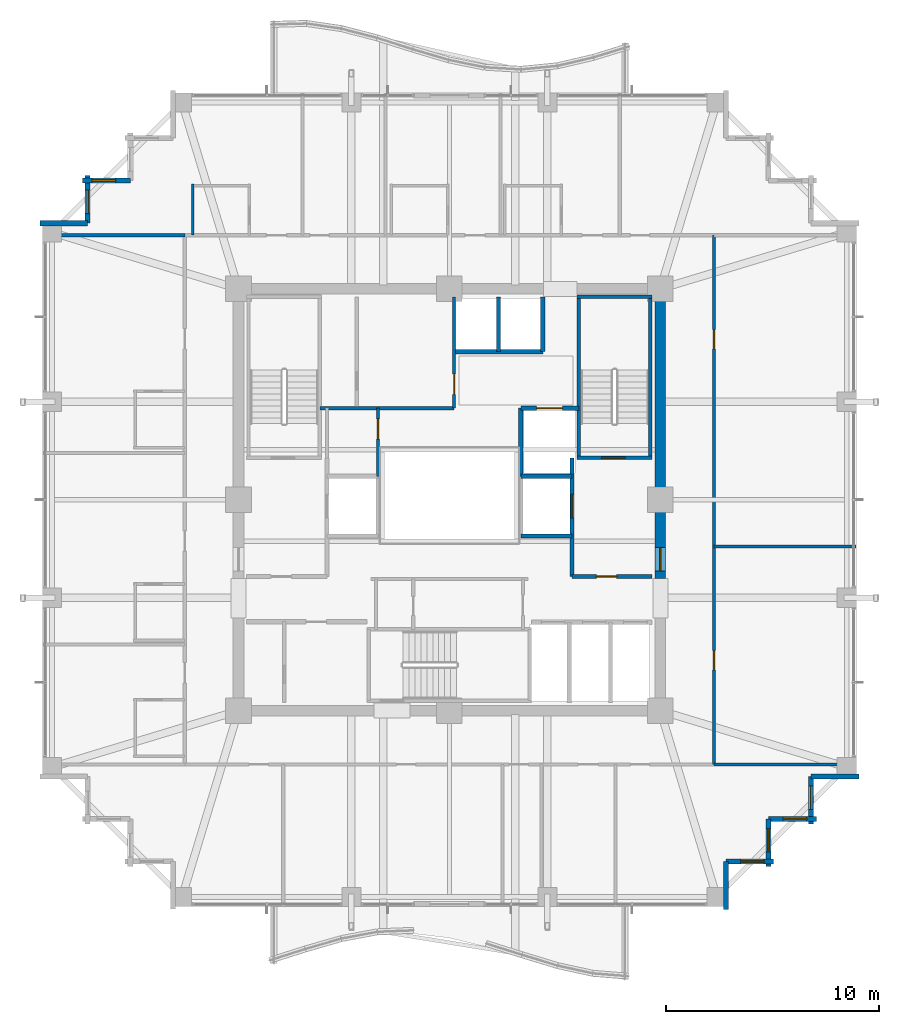
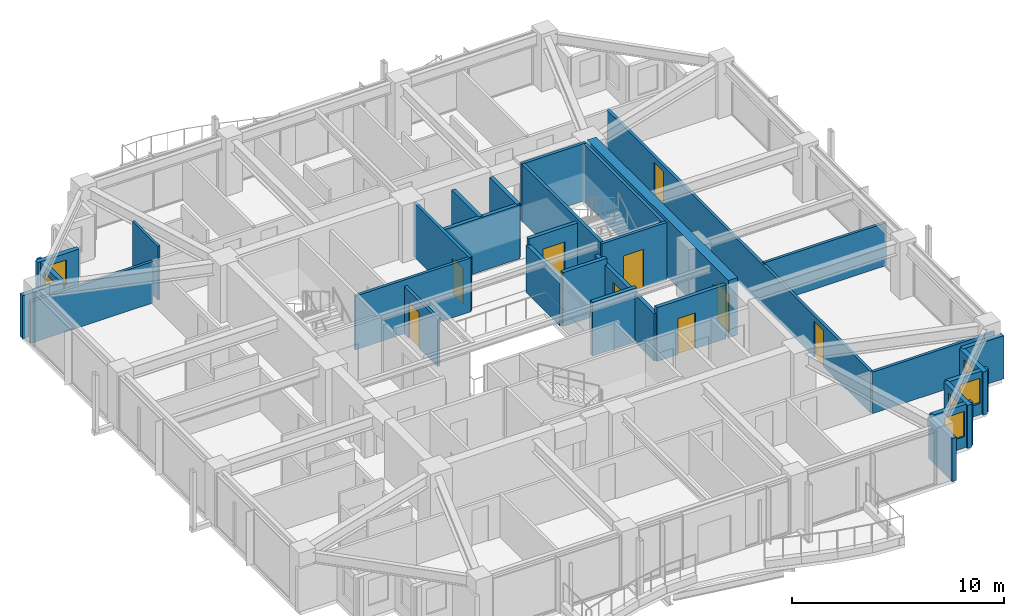
# One storey, part 28 of 32: 31 walls, 9 doors, 6 windows, 15 openings.
"""IFC4 building model written with IfcOpenShell, lengths in metres."""

from ifc_helpers import new_model, si_unit, direction, frame, frame_2d, origin, place, context, subcontext, project, spatial, rectangle, extrude, material, layer, layer_set, type_object, element, fill, save


model = new_model("IFC4")

# Units and contexts
model_context = context("Model", 3, precision=1e-05, world=origin(), true_north=direction((0.0, 1.0)))
body_context = subcontext(model_context, "Body", "Model", "MODEL_VIEW")
ifc_project = project(units=[si_unit("LENGTHUNIT", "METRE"), si_unit("AREAUNIT", "SQUARE_METRE"), si_unit("VOLUMEUNIT", "CUBIC_METRE"), si_unit("PLANEANGLEUNIT", "RADIAN"), si_unit("MASSUNIT", "GRAM", prefix="KILO")], contexts=[model_context])

# Site, building, storey
site_placement = place(None, origin())
site = spatial("IfcSite", under=ifc_project, at=site_placement, CompositionType="ELEMENT")
building_placement = place(site_placement, origin())
building = spatial("IfcBuilding", under=site, at=building_placement, Name="Kolvaren Belvedere", CompositionType="ELEMENT")
storey_placement = place(building_placement, frame((0.0, 0.0, 160.199951171875)))
storey = spatial("IfcBuildingStorey", under=building, at=storey_placement, Name="L46", CompositionType="ELEMENT", Elevation=160.199951171875)

# Wall, opening, door
ifc_material_1 = material(Name="Concrete C50/60", Category="concrete")
ifc_layer_1 = layer(ifc_material_1, 0.5)
ifc_layer_set_1 = layer_set([ifc_layer_1], Name="Concrete C50/60")
wall_type_1 = type_object("IfcWallType", Name="CW-CORE-500", PredefinedType="SHEAR", material=ifc_layer_set_1)
wall_1_placement = place(storey_placement, frame((9.89990234375, -3.699951171875, 0.0), z_axis=(0.0, 0.0, 1.0), x_axis=(0.0, 1.0, 0.0)))
wall_1 = element("IfcWall", 1, at=wall_1_placement, inside=storey, type_object=wall_type_1, Name="L46 East Core Shear Wall 2", PredefinedType="SHEAR", context=body_context, shape_type="SweptSolid", body=[
    extrude(rectangle(XDim=13.349853515625, YDim=0.5, at=frame_2d((6.6748046875, 0.0))), origin(), (0.0, 0.0, 1.0), 3.300048828125),
])
opening_1_placement = place(wall_1_placement, frame((0.35009765625, 0.0, 0.0)))
opening_1 = element("IfcOpeningElement", 2, at=opening_1_placement, cuts=wall_1, Name="Opening D-FD90", PredefinedType="OPENING", context=body_context, shape_type="SweptSolid", body=[
    extrude(rectangle(XDim=1.10009765625, YDim=2.199951171875, at=frame_2d((0.550048828125, 1.10009765625))), frame((0.0, 0.260009765625, 0.0), z_axis=(0.0, -1.0, 0.0), x_axis=(1.0, 0.0, 0.0)), (0.0, 0.0, 1.0), 0.52001953125),
])
ifc_material_2 = material(Name="Painted hollow stainless steel", Category="steel")
door_type_1 = type_object("IfcDoorType", Name="DR-FD90-1100", OperationType="NOTDEFINED", PredefinedType="DOOR", material=ifc_material_2)
door_1_placement = place(opening_1_placement, origin())
door_1 = element("IfcDoor", 3, at=door_1_placement, inside=storey, type_object=door_type_1, Name="L46 East Firefighting Lobby Fire Door", OperationType="SINGLE_SWING_RIGHT", OverallHeight=2.199951171875, OverallWidth=1.10009765625, PredefinedType="DOOR", context=body_context, shape_type="SweptSolid", body=[
    extrude(rectangle(XDim=1.10009765625, YDim=2.199951171875, at=frame_2d((0.550048828125, 1.10009765625))), frame((0.0, 0.02490234375, 0.0), z_axis=(0.0, -1.0, 0.0), x_axis=(1.0, 0.0, 0.0)), (0.0, 0.0, 1.0), 0.050048828125),
])
fill(opening_1, door_1)

ifc_material_3 = material(Name="Concrete C50/60", Category="concrete")
ifc_layer_2 = layer(ifc_material_3, 0.159912109375)
ifc_layer_set_2 = layer_set([ifc_layer_2], Name="Concrete C50/60")
wall_type_2 = type_object("IfcWallType", Name="CW-STAIR-160", PredefinedType="SHEAR", material=ifc_layer_set_2)
wall_2_placement = place(storey_placement, frame((6.0, 1.969970703125, 0.0), z_axis=(0.0, 0.0, 1.0), x_axis=(1.0, 0.0, 0.0)))
wall_2 = element("IfcWall", 4, at=wall_2_placement, inside=storey, type_object=wall_type_2, Name="L46 Stair ST-2 South Shear Wall", PredefinedType="SHEAR", context=body_context, shape_type="SweptSolid", body=[
    extrude(rectangle(XDim=3.52001953125, YDim=0.159912109375, at=frame_2d((1.760009765625, 0.0))), origin(), (0.0, 0.0, 1.0), 3.300048828125),
])
opening_2_placement = place(wall_2_placement, frame((1.14990234375, 0.0, 0.0)))
opening_2 = element("IfcOpeningElement", 5, at=opening_2_placement, cuts=wall_2, Name="Opening D-FD90", PredefinedType="OPENING", context=body_context, shape_type="SweptSolid", body=[
    extrude(rectangle(XDim=1.10009765625, YDim=2.199951171875, at=frame_2d((0.550048828125, 1.10009765625))), frame((0.0, 0.08984375, 0.0), z_axis=(0.0, -1.0, 0.0), x_axis=(1.0, 0.0, 0.0)), (0.0, 0.0, 1.0), 0.179931640625),
])
door_2_placement = place(opening_2_placement, origin())
door_2 = element("IfcDoor", 6, at=door_2_placement, inside=storey, type_object=door_type_1, Name="L46 Stair ST-2 Fire Door", OperationType="SINGLE_SWING_RIGHT", OverallHeight=2.199951171875, OverallWidth=1.10009765625, PredefinedType="DOOR", context=body_context, shape_type="SweptSolid", body=[
    extrude(rectangle(XDim=1.10009765625, YDim=2.199951171875, at=frame_2d((0.550048828125, 1.10009765625))), frame((0.0, 0.02490234375, 0.0), z_axis=(0.0, -1.0, 0.0), x_axis=(1.0, 0.0, 0.0)), (0.0, 0.0, 1.0), 0.050048828125),
])
fill(opening_2, door_2)

# Walls
wall_3_placement = place(storey_placement, frame((6.0, 9.530029296875, 0.0), z_axis=(0.0, 0.0, 1.0), x_axis=(1.0, 0.0, 0.0)))
element("IfcWall", 7, at=wall_3_placement, inside=storey, type_object=wall_type_2, Name="L46 Stair ST-2 North Shear Wall", PredefinedType="SHEAR", context=body_context, shape_type="SweptSolid", body=[
    extrude(rectangle(XDim=3.52001953125, YDim=0.159912109375, at=frame_2d((1.760009765625, 0.0))), origin(), (0.0, 0.0, 1.0), 3.300048828125),
])
for number, where, z_axis, x_axis, name in (
    (8, (6.080078125, 1.969970703125, 0.0), (0.0, 0.0, 1.0), (0.0, 1.0, 0.0), "L46 Stair ST-2 West Shear Wall"),
    (9, (9.429931640625, 1.969970703125, 0.0), (0.0, 0.0, 1.0), (0.0, 1.0, 0.0), "L46 Stair ST-2 East Shear Wall"),
):
    element("IfcWall", number, at=place(storey_placement, frame(where, z_axis=z_axis, x_axis=x_axis)), inside=storey, type_object=wall_type_2, Name=name, PredefinedType="SHEAR", context=body_context, shape_type="SweptSolid", body=[
        extrude(rectangle(XDim=7.56005859375, YDim=0.159912109375, at=frame_2d((3.780029296875, 0.0))), origin(), (0.0, 0.0, 1.0), 3.300048828125),
    ])

# Wall, openings, doors
ifc_material_4 = material(Name="Gypsum fire-rated partition assembly", Category="gypsum")
ifc_layer_3 = layer(ifc_material_4, 0.14990234375)
ifc_layer_set_3 = layer_set([ifc_layer_3], Name="Gypsum fire-rated partition assembly")
wall_type_3 = type_object("IfcWallType", Name="WL-CORR-150", PredefinedType="PARTITIONING", material=ifc_layer_set_3)
wall_4_placement = place(storey_placement, frame((12.419921875, -12.419921875, 0.0), z_axis=(0.0, 0.0, 1.0), x_axis=(0.0, 1.0, 0.0)))
wall_4 = element("IfcWall", 10, at=wall_4_placement, inside=storey, type_object=wall_type_3, Name="L46 East Corridor Wall", PredefinedType="PARTITIONING", context=body_context, shape_type="SweptSolid", body=[
    extrude(rectangle(XDim=24.83984375, YDim=0.14990234375, at=frame_2d((12.419921875, 0.0))), origin(), (0.0, 0.0, 1.0), 2.38916015625),
])
opening_3_placement = place(wall_4_placement, frame((4.43505859375, 0.0, 0.0)))
opening_3 = element("IfcOpeningElement", 11, at=opening_3_placement, cuts=wall_4, Name="Opening D-INT90", PredefinedType="OPENING", context=body_context, shape_type="SweptSolid", body=[
    extrude(rectangle(XDim=0.89990234375, YDim=2.06005859375, at=frame_2d((0.449951171875, 1.030029296875))), frame((0.0, 0.0849609375, 0.0), z_axis=(0.0, -1.0, 0.0), x_axis=(1.0, 0.0, 0.0)), (0.0, 0.0, 1.0), 0.169921875),
])
opening_4_placement = place(wall_4_placement, frame((19.5048828125, 0.0, 0.0)))
opening_4 = element("IfcOpeningElement", 12, at=opening_4_placement, cuts=wall_4, Name="Opening D-INT90", PredefinedType="OPENING", context=body_context, shape_type="SweptSolid", body=[
    extrude(rectangle(XDim=0.89990234375, YDim=2.06005859375, at=frame_2d((0.449951171875, 1.030029296875))), frame((0.0, 0.0849609375, 0.0), z_axis=(0.0, -1.0, 0.0), x_axis=(1.0, 0.0, 0.0)), (0.0, 0.0, 1.0), 0.169921875),
])
ifc_material_5 = material(Name="Stained Pacific white oak", Category="timber")
door_type_2 = type_object("IfcDoorType", Name="DR-INT-900", OperationType="NOTDEFINED", PredefinedType="DOOR", material=ifc_material_5)
door_3_placement = place(opening_3_placement, origin())
door_3 = element("IfcDoor", 13, at=door_3_placement, inside=storey, type_object=door_type_2, Name="L46 Botanical Reading Salon 4604 Door", OperationType="SINGLE_SWING_LEFT", OverallHeight=2.06005859375, OverallWidth=0.89990234375, PredefinedType="DOOR", context=body_context, shape_type="SweptSolid", body=[
    extrude(rectangle(XDim=0.89990234375, YDim=2.06005859375, at=frame_2d((0.449951171875, 1.030029296875))), frame((0.0, 0.02490234375, 0.0), z_axis=(0.0, -1.0, 0.0), x_axis=(1.0, 0.0, 0.0)), (0.0, 0.0, 1.0), 0.050048828125),
])
fill(opening_3, door_3)
door_4_placement = place(opening_4_placement, origin())
door_4 = element("IfcDoor", 14, at=door_4_placement, inside=storey, type_object=door_type_2, Name="L46 Lounge 4605 Door", OperationType="SINGLE_SWING_RIGHT", OverallHeight=2.06005859375, OverallWidth=0.89990234375, PredefinedType="DOOR", context=body_context, shape_type="SweptSolid", body=[
    extrude(rectangle(XDim=0.89990234375, YDim=2.06005859375, at=frame_2d((0.449951171875, 1.030029296875))), frame((0.0, 0.02490234375, 0.0), z_axis=(0.0, -1.0, 0.0), x_axis=(1.0, 0.0, 0.0)), (0.0, 0.0, 1.0), 0.050048828125),
])
fill(opening_4, door_4)

# Wall
ifc_material_6 = material(Name="Insulated pale-metal facade wall assembly", Category="aluminium")
ifc_layer_4 = layer(ifc_material_6, 0.239990234375)
ifc_layer_set_4 = layer_set([ifc_layer_4], Name="Insulated pale-metal facade wall assembly")
wall_type_4 = type_object("IfcWallType", Name="WL-EXT-240", PredefinedType="STANDARD", material=ifc_layer_set_4)
wall_5_placement = place(storey_placement, frame((12.97998046875, -16.97998046875, 0.0), z_axis=(0.0, 0.0, 1.0), x_axis=(0.0, -1.0, 0.0)))
element("IfcWall", 15, at=wall_5_placement, inside=storey, type_object=wall_type_4, Name="L46 Serrated Corner Facade Wall 2", PredefinedType="STANDARD", context=body_context, shape_type="SweptSolid", body=[
    extrude(rectangle(XDim=2.239990234375, YDim=0.239990234375, at=frame_2d((1.1201171875, 0.0))), origin(), (0.0, 0.0, 1.0), 2.483154296875),
])

# Wall, opening, window
wall_6_placement = place(storey_placement, frame((15.219970703125, -16.97998046875, 0.0), z_axis=(0.0, 0.0, 1.0), x_axis=(-1.0, 0.0, 0.0)))
wall_6 = element("IfcWall", 16, at=wall_6_placement, inside=storey, type_object=wall_type_4, Name="L46 Serrated Corner Facade Wall 3", PredefinedType="STANDARD", context=body_context, shape_type="SweptSolid", body=[
    extrude(rectangle(XDim=2.239990234375, YDim=0.239990234375, at=frame_2d((1.1201171875, 0.0))), origin(), (0.0, 0.0, 1.0), 2.483154296875),
])
opening_5_placement = place(wall_6_placement, frame((0.449951171875, 0.0, 0.64990234375)))
opening_5 = element("IfcOpeningElement", 17, at=opening_5_placement, cuts=wall_6, Name="Opening W-1100", PredefinedType="OPENING", context=body_context, shape_type="SweptSolid", body=[
    extrude(rectangle(XDim=1.10009765625, YDim=1.449951171875, at=frame_2d((0.550048828125, 0.72509765625))), frame((0.0, 0.1298828125, 0.0), z_axis=(0.0, -1.0, 0.0), x_axis=(1.0, 0.0, 0.0)), (0.0, 0.0, 1.0), 0.260009765625),
])
ifc_material_7 = material(Name="Low-iron triple insulated glass", Category="glass")
window_type = type_object("IfcWindowType", Name="WN-CORN-1100", PartitioningType="SINGLE_PANEL", PredefinedType="WINDOW", material=ifc_material_7)
window_1_placement = place(opening_5_placement, origin())
window_1 = element("IfcWindow", 18, at=window_1_placement, inside=storey, type_object=window_type, Name="L46 Serrated Corner Vision Window 3", OverallHeight=1.449951171875, OverallWidth=1.10009765625, PartitioningType="SINGLE_PANEL", PredefinedType="WINDOW", context=body_context, shape_type="SweptSolid", body=[
    extrude(rectangle(XDim=1.10009765625, YDim=1.449951171875, at=frame_2d((0.550048828125, 0.72509765625))), frame((0.0, 0.030029296875, 0.0), z_axis=(0.0, -1.0, 0.0), x_axis=(1.0, 0.0, 0.0)), (0.0, 0.0, 1.0), 0.06005859375),
])
fill(opening_5, window_1)

wall_7_placement = place(storey_placement, frame((14.97998046875, -14.97998046875, 0.0), z_axis=(0.0, 0.0, 1.0), x_axis=(0.0, -1.0, 0.0)))
wall_7 = element("IfcWall", 19, at=wall_7_placement, inside=storey, type_object=wall_type_4, Name="L46 Serrated Corner Facade Wall 4", PredefinedType="STANDARD", context=body_context, shape_type="SweptSolid", body=[
    extrude(rectangle(XDim=2.239990234375, YDim=0.239990234375, at=frame_2d((1.1201171875, 0.0))), origin(), (0.0, 0.0, 1.0), 2.483154296875),
])
opening_6_placement = place(wall_7_placement, frame((0.449951171875, 0.0, 0.64990234375)))
opening_6 = element("IfcOpeningElement", 20, at=opening_6_placement, cuts=wall_7, Name="Opening W-1100", PredefinedType="OPENING", context=body_context, shape_type="SweptSolid", body=[
    extrude(rectangle(XDim=1.10009765625, YDim=1.449951171875, at=frame_2d((0.550048828125, 0.72509765625))), frame((0.0, 0.1298828125, 0.0), z_axis=(0.0, -1.0, 0.0), x_axis=(1.0, 0.0, 0.0)), (0.0, 0.0, 1.0), 0.260009765625),
])
window_2_placement = place(opening_6_placement, origin())
window_2 = element("IfcWindow", 21, at=window_2_placement, inside=storey, type_object=window_type, Name="L46 Serrated Corner Vision Window 4", OverallHeight=1.449951171875, OverallWidth=1.10009765625, PartitioningType="SINGLE_PANEL", PredefinedType="WINDOW", context=body_context, shape_type="SweptSolid", body=[
    extrude(rectangle(XDim=1.10009765625, YDim=1.449951171875, at=frame_2d((0.550048828125, 0.72509765625))), frame((0.0, 0.030029296875, 0.0), z_axis=(0.0, -1.0, 0.0), x_axis=(1.0, 0.0, 0.0)), (0.0, 0.0, 1.0), 0.06005859375),
])
fill(opening_6, window_2)

wall_8_placement = place(storey_placement, frame((17.219970703125, -14.97998046875, 0.0), z_axis=(0.0, 0.0, 1.0), x_axis=(-1.0, 0.0, 0.0)))
wall_8 = element("IfcWall", 22, at=wall_8_placement, inside=storey, type_object=wall_type_4, Name="L46 Serrated Corner Facade Wall 5", PredefinedType="STANDARD", context=body_context, shape_type="SweptSolid", body=[
    extrude(rectangle(XDim=2.239990234375, YDim=0.239990234375, at=frame_2d((1.1201171875, 0.0))), origin(), (0.0, 0.0, 1.0), 2.483154296875),
])
opening_7_placement = place(wall_8_placement, frame((0.449951171875, 0.0, 0.64990234375)))
opening_7 = element("IfcOpeningElement", 23, at=opening_7_placement, cuts=wall_8, Name="Opening W-1100", PredefinedType="OPENING", context=body_context, shape_type="SweptSolid", body=[
    extrude(rectangle(XDim=1.10009765625, YDim=1.449951171875, at=frame_2d((0.550048828125, 0.72509765625))), frame((0.0, 0.1298828125, 0.0), z_axis=(0.0, -1.0, 0.0), x_axis=(1.0, 0.0, 0.0)), (0.0, 0.0, 1.0), 0.260009765625),
])
window_3_placement = place(opening_7_placement, origin())
window_3 = element("IfcWindow", 24, at=window_3_placement, inside=storey, type_object=window_type, Name="L46 Serrated Corner Vision Window 5", OverallHeight=1.449951171875, OverallWidth=1.10009765625, PartitioningType="SINGLE_PANEL", PredefinedType="WINDOW", context=body_context, shape_type="SweptSolid", body=[
    extrude(rectangle(XDim=1.10009765625, YDim=1.449951171875, at=frame_2d((0.550048828125, 0.72509765625))), frame((0.0, 0.030029296875, 0.0), z_axis=(0.0, -1.0, 0.0), x_axis=(1.0, 0.0, 0.0)), (0.0, 0.0, 1.0), 0.06005859375),
])
fill(opening_7, window_3)

wall_9_placement = place(storey_placement, frame((16.97998046875, -12.97998046875, 0.0), z_axis=(0.0, 0.0, 1.0), x_axis=(0.0, -1.0, 0.0)))
wall_9 = element("IfcWall", 25, at=wall_9_placement, inside=storey, type_object=wall_type_4, Name="L46 Serrated Corner Facade Wall 6", PredefinedType="STANDARD", context=body_context, shape_type="SweptSolid", body=[
    extrude(rectangle(XDim=2.239990234375, YDim=0.239990234375, at=frame_2d((1.1201171875, 0.0))), origin(), (0.0, 0.0, 1.0), 2.483154296875),
])
opening_8_placement = place(wall_9_placement, frame((0.449951171875, 0.0, 0.64990234375)))
opening_8 = element("IfcOpeningElement", 26, at=opening_8_placement, cuts=wall_9, Name="Opening W-1100", PredefinedType="OPENING", context=body_context, shape_type="SweptSolid", body=[
    extrude(rectangle(XDim=1.10009765625, YDim=1.449951171875, at=frame_2d((0.550048828125, 0.72509765625))), frame((0.0, 0.1298828125, 0.0), z_axis=(0.0, -1.0, 0.0), x_axis=(1.0, 0.0, 0.0)), (0.0, 0.0, 1.0), 0.260009765625),
])
window_4_placement = place(opening_8_placement, origin())
window_4 = element("IfcWindow", 27, at=window_4_placement, inside=storey, type_object=window_type, Name="L46 Serrated Corner Vision Window 6", OverallHeight=1.449951171875, OverallWidth=1.10009765625, PartitioningType="SINGLE_PANEL", PredefinedType="WINDOW", context=body_context, shape_type="SweptSolid", body=[
    extrude(rectangle(XDim=1.10009765625, YDim=1.449951171875, at=frame_2d((0.550048828125, 0.72509765625))), frame((0.0, 0.030029296875, 0.0), z_axis=(0.0, -1.0, 0.0), x_axis=(1.0, 0.0, 0.0)), (0.0, 0.0, 1.0), 0.06005859375),
])
fill(opening_8, window_4)

# Wall
wall_10_placement = place(storey_placement, frame((19.219970703125, -12.97998046875, 0.0), z_axis=(0.0, 0.0, 1.0), x_axis=(-1.0, 0.0, 0.0)))
element("IfcWall", 28, at=wall_10_placement, inside=storey, type_object=wall_type_4, Name="L46 Serrated Corner Facade Wall 7", PredefinedType="STANDARD", context=body_context, shape_type="SweptSolid", body=[
    extrude(rectangle(XDim=2.239990234375, YDim=0.239990234375, at=frame_2d((1.1201171875, 0.0))), origin(), (0.0, 0.0, 1.0), 2.483154296875),
])

# Wall, opening, window
wall_11_placement = place(storey_placement, frame((-17.219970703125, 14.97998046875, 0.0), z_axis=(0.0, 0.0, 1.0), x_axis=(1.0, 0.0, 0.0)))
wall_11 = element("IfcWall", 29, at=wall_11_placement, inside=storey, type_object=wall_type_4, Name="L46 Serrated Corner Facade Wall 19", PredefinedType="STANDARD", context=body_context, shape_type="SweptSolid", body=[
    extrude(rectangle(XDim=2.239990234375, YDim=0.239990234375, at=frame_2d((1.1201171875, 0.0))), origin(), (0.0, 0.0, 1.0), 2.483154296875),
])
opening_9_placement = place(wall_11_placement, frame((0.449951171875, 0.0, 0.64990234375)))
opening_9 = element("IfcOpeningElement", 30, at=opening_9_placement, cuts=wall_11, Name="Opening W-1100", PredefinedType="OPENING", context=body_context, shape_type="SweptSolid", body=[
    extrude(rectangle(XDim=1.10009765625, YDim=1.449951171875, at=frame_2d((0.550048828125, 0.72509765625))), frame((0.0, 0.1298828125, 0.0), z_axis=(0.0, -1.0, 0.0), x_axis=(1.0, 0.0, 0.0)), (0.0, 0.0, 1.0), 0.260009765625),
])
window_5_placement = place(opening_9_placement, origin())
window_5 = element("IfcWindow", 31, at=window_5_placement, inside=storey, type_object=window_type, Name="L46 Serrated Corner Vision Window 19", OverallHeight=1.449951171875, OverallWidth=1.10009765625, PartitioningType="SINGLE_PANEL", PredefinedType="WINDOW", context=body_context, shape_type="SweptSolid", body=[
    extrude(rectangle(XDim=1.10009765625, YDim=1.449951171875, at=frame_2d((0.550048828125, 0.72509765625))), frame((0.0, 0.030029296875, 0.0), z_axis=(0.0, -1.0, 0.0), x_axis=(1.0, 0.0, 0.0)), (0.0, 0.0, 1.0), 0.06005859375),
])
fill(opening_9, window_5)

wall_12_placement = place(storey_placement, frame((-16.97998046875, 12.97998046875, 0.0), z_axis=(0.0, 0.0, 1.0), x_axis=(0.0, 1.0, 0.0)))
wall_12 = element("IfcWall", 32, at=wall_12_placement, inside=storey, type_object=wall_type_4, Name="L46 Serrated Corner Facade Wall 20", PredefinedType="STANDARD", context=body_context, shape_type="SweptSolid", body=[
    extrude(rectangle(XDim=2.239990234375, YDim=0.239990234375, at=frame_2d((1.1201171875, 0.0))), origin(), (0.0, 0.0, 1.0), 2.483154296875),
])
opening_10_placement = place(wall_12_placement, frame((0.449951171875, 0.0, 0.64990234375)))
opening_10 = element("IfcOpeningElement", 33, at=opening_10_placement, cuts=wall_12, Name="Opening W-1100", PredefinedType="OPENING", context=body_context, shape_type="SweptSolid", body=[
    extrude(rectangle(XDim=1.10009765625, YDim=1.449951171875, at=frame_2d((0.550048828125, 0.72509765625))), frame((0.0, 0.1298828125, 0.0), z_axis=(0.0, -1.0, 0.0), x_axis=(1.0, 0.0, 0.0)), (0.0, 0.0, 1.0), 0.260009765625),
])
window_6_placement = place(opening_10_placement, origin())
window_6 = element("IfcWindow", 34, at=window_6_placement, inside=storey, type_object=window_type, Name="L46 Serrated Corner Vision Window 20", OverallHeight=1.449951171875, OverallWidth=1.10009765625, PartitioningType="SINGLE_PANEL", PredefinedType="WINDOW", context=body_context, shape_type="SweptSolid", body=[
    extrude(rectangle(XDim=1.10009765625, YDim=1.449951171875, at=frame_2d((0.550048828125, 0.72509765625))), frame((0.0, 0.030029296875, 0.0), z_axis=(0.0, -1.0, 0.0), x_axis=(1.0, 0.0, 0.0)), (0.0, 0.0, 1.0), 0.06005859375),
])
fill(opening_10, window_6)

# Walls
wall_13_placement = place(storey_placement, frame((-19.219970703125, 12.97998046875, 0.0), z_axis=(0.0, 0.0, 1.0), x_axis=(1.0, 0.0, 0.0)))
element("IfcWall", 35, at=wall_13_placement, inside=storey, type_object=wall_type_4, Name="L46 Serrated Corner Facade Wall 21", PredefinedType="STANDARD", context=body_context, shape_type="SweptSolid", body=[
    extrude(rectangle(XDim=2.239990234375, YDim=0.239990234375, at=frame_2d((1.1201171875, 0.0))), origin(), (0.0, 0.0, 1.0), 2.483154296875),
])
ifc_material_8 = material(Name="Gypsum acoustic partition assembly", Category="gypsum")
ifc_layer_5 = layer(ifc_material_8, 0.14990234375)
ifc_layer_set_5 = layer_set([ifc_layer_5], Name="Gypsum acoustic partition assembly")
wall_type_5 = type_object("IfcWallType", Name="WL-PART-150", PredefinedType="PARTITIONING", material=ifc_layer_set_5)
wall_14_placement = place(storey_placement, frame((-6.080078125, 4.300048828125, 0.0), z_axis=(0.0, 0.0, 1.0), x_axis=(1.0, 0.0, 0.0)))
element("IfcWall", 36, at=wall_14_placement, inside=storey, type_object=wall_type_5, Name="L46 Reclaimed Salon South Wall", PredefinedType="PARTITIONING", context=body_context, shape_type="SweptSolid", body=[
    extrude(rectangle(XDim=6.300048828125, YDim=0.14990234375, at=frame_2d((3.14990234375, 0.0))), origin(), (0.0, 0.0, 1.0), 3.10009765625),
])

# Wall, opening, door
wall_15_placement = place(storey_placement, frame((0.219970703125, 4.300048828125, 0.0), z_axis=(0.0, 0.0, 1.0), x_axis=(0.0, 1.0, 0.0)))
wall_15 = element("IfcWall", 37, at=wall_15_placement, inside=storey, type_object=wall_type_5, Name="L46 Reclaimed Salon East Wall", PredefinedType="PARTITIONING", context=body_context, shape_type="SweptSolid", body=[
    extrude(rectangle(XDim=5.219970703125, YDim=0.14990234375, at=frame_2d((2.60986328125, 0.0))), origin(), (0.0, 0.0, 1.0), 3.10009765625),
])
opening_11_placement = place(wall_15_placement, frame((0.64990234375, 0.0, 0.0)))
opening_11 = element("IfcOpeningElement", 38, at=opening_11_placement, cuts=wall_15, Name="Opening D-INT95", PredefinedType="OPENING", context=body_context, shape_type="SweptSolid", body=[
    extrude(rectangle(XDim=0.949951171875, YDim=2.06005859375, at=frame_2d((0.47509765625, 1.030029296875))), frame((0.0, 0.0849609375, 0.0), z_axis=(0.0, -1.0, 0.0), x_axis=(1.0, 0.0, 0.0)), (0.0, 0.0, 1.0), 0.169921875),
])
ifc_material_9 = material(Name="Stained Pacific white oak", Category="timber")
door_type_3 = type_object("IfcDoorType", Name="DR-INT-950", OperationType="NOTDEFINED", PredefinedType="DOOR", material=ifc_material_9)
door_5_placement = place(opening_11_placement, origin())
door_5 = element("IfcDoor", 39, at=door_5_placement, inside=storey, type_object=door_type_3, Name="L46 Art Salon Door", OperationType="SINGLE_SWING_LEFT", OverallHeight=2.06005859375, OverallWidth=0.949951171875, PredefinedType="DOOR", context=body_context, shape_type="SweptSolid", body=[
    extrude(rectangle(XDim=0.949951171875, YDim=2.06005859375, at=frame_2d((0.47509765625, 1.030029296875))), frame((0.0, 0.02490234375, 0.0), z_axis=(0.0, -1.0, 0.0), x_axis=(1.0, 0.0, 0.0)), (0.0, 0.0, 1.0), 0.050048828125),
])
fill(opening_11, door_5)

wall_16_placement = place(storey_placement, frame((-3.35009765625, 1.10009765625, 0.0), z_axis=(0.0, 0.0, 1.0), x_axis=(0.0, 1.0, 0.0)))
wall_16 = element("IfcWall", 40, at=wall_16_placement, inside=storey, type_object=wall_type_5, Name="L46 NW Service Room East Wall", PredefinedType="PARTITIONING", context=body_context, shape_type="SweptSolid", body=[
    extrude(rectangle(XDim=3.199951171875, YDim=0.14990234375, at=frame_2d((1.60009765625, 0.0))), origin(), (0.0, 0.0, 1.0), 2.735107421875),
])
opening_12_placement = place(wall_16_placement, frame((1.75, 0.0, 0.0)))
opening_12 = element("IfcOpeningElement", 41, at=opening_12_placement, cuts=wall_16, Name="Opening D-FD60", PredefinedType="OPENING", context=body_context, shape_type="SweptSolid", body=[
    extrude(rectangle(XDim=0.949951171875, YDim=2.06005859375, at=frame_2d((0.47509765625, 1.030029296875))), frame((0.0, 0.0849609375, 0.0), z_axis=(0.0, -1.0, 0.0), x_axis=(1.0, 0.0, 0.0)), (0.0, 0.0, 1.0), 0.169921875),
])
ifc_material_10 = material(Name="Acoustic white-oak fire door leaf", Category="timber")
door_type_4 = type_object("IfcDoorType", Name="DR-FD60-950", OperationType="NOTDEFINED", PredefinedType="DOOR", material=ifc_material_10)
door_6_placement = place(opening_12_placement, origin())
door_6 = element("IfcDoor", 42, at=door_6_placement, inside=storey, type_object=door_type_4, Name="L46 NW Core Store Door", OperationType="SINGLE_SWING_LEFT", OverallHeight=2.06005859375, OverallWidth=0.949951171875, PredefinedType="DOOR", context=body_context, shape_type="SweptSolid", body=[
    extrude(rectangle(XDim=0.949951171875, YDim=2.06005859375, at=frame_2d((0.47509765625, 1.030029296875))), frame((0.0, 0.02490234375, 0.0), z_axis=(0.0, -1.0, 0.0), x_axis=(1.0, 0.0, 0.0)), (0.0, 0.0, 1.0), 0.050048828125),
])
fill(opening_12, door_6)

# Walls
for number, where, z_axis, x_axis, name in (
    (43, (12.419921875, -12.419921875, 0.0), (0.0, 0.0, 1.0), (1.0, 0.0, 0.0), "L46 Wing Divider PW-L46-QSE"),
    (44, (-19.080078125, 12.419921875, 0.0), (0.0, 0.0, 1.0), (1.0, 0.0, 0.0), "L46 Wing Divider PW-L46-QNW"),
):
    element("IfcWall", number, at=place(storey_placement, frame(where, z_axis=z_axis, x_axis=x_axis)), inside=storey, type_object=wall_type_5, Name=name, PredefinedType="PARTITIONING", context=body_context, shape_type="SweptSolid", body=[
        extrude(rectangle(XDim=6.66015625, YDim=0.14990234375, at=frame_2d((3.330078125, 0.0))), origin(), (0.0, 0.0, 1.0), 2.38916015625),
    ])
wall_17_placement = place(storey_placement, frame((12.419921875, -2.199951171875, 0.0), z_axis=(0.0, 0.0, 1.0), x_axis=(1.0, 0.0, 0.0)))
element("IfcWall", 45, at=wall_17_placement, inside=storey, type_object=wall_type_5, Name="L46 East Suite Demising Wall 1", PredefinedType="PARTITIONING", context=body_context, shape_type="SweptSolid", body=[
    extrude(rectangle(XDim=6.66015625, YDim=0.14990234375, at=frame_2d((3.330078125, 0.0))), origin(), (0.0, 0.0, 1.0), 2.47314453125),
])

# Wall, opening, door
ifc_material_11 = material(Name="Concrete C50/60", Category="concrete")
ifc_layer_6 = layer(ifc_material_11, 0.199951171875)
ifc_layer_set_6 = layer_set([ifc_layer_6], Name="Concrete C50/60")
wall_type_6 = type_object("IfcWallType", Name="WL-SHAFT-200", PredefinedType="SOLIDWALL", material=ifc_layer_set_6)
wall_18_placement = place(storey_placement, frame((5.75, -3.60009765625, 0.0), z_axis=(0.0, 0.0, 1.0), x_axis=(1.0, 0.0, 0.0)))
wall_18 = element("IfcWall", 46, at=wall_18_placement, inside=storey, type_object=wall_type_6, Name="L46 East FSAE Lobby South Wall", PredefinedType="SOLIDWALL", context=body_context, shape_type="SweptSolid", body=[
    extrude(rectangle(XDim=3.77001953125, YDim=0.199951171875, at=frame_2d((1.885009765625, 0.0))), origin(), (0.0, 0.0, 1.0), 3.10009765625),
])
opening_13_placement = place(wall_18_placement, frame((1.14990234375, 0.0, 0.0)))
opening_13 = element("IfcOpeningElement", 47, at=opening_13_placement, cuts=wall_18, Name="Opening D-FD60", PredefinedType="OPENING", context=body_context, shape_type="SweptSolid", body=[
    extrude(rectangle(XDim=0.949951171875, YDim=2.06005859375, at=frame_2d((0.47509765625, 1.030029296875))), frame((0.0, 0.10986328125, 0.0), z_axis=(0.0, -1.0, 0.0), x_axis=(1.0, 0.0, 0.0)), (0.0, 0.0, 1.0), 0.219970703125),
])
door_7_placement = place(opening_13_placement, origin())
door_7 = element("IfcDoor", 48, at=door_7_placement, inside=storey, type_object=door_type_4, Name="L46 SE Lift Lobby Fire Door", OperationType="SINGLE_SWING_RIGHT", OverallHeight=2.06005859375, OverallWidth=0.949951171875, PredefinedType="DOOR", context=body_context, shape_type="SweptSolid", body=[
    extrude(rectangle(XDim=0.949951171875, YDim=2.06005859375, at=frame_2d((0.47509765625, 1.030029296875))), frame((0.0, 0.02490234375, 0.0), z_axis=(0.0, -1.0, 0.0), x_axis=(1.0, 0.0, 0.0)), (0.0, 0.0, 1.0), 0.050048828125),
])
fill(opening_13, door_7)

wall_19_placement = place(storey_placement, frame((5.75, -3.60009765625, 0.0), z_axis=(0.0, 0.0, 1.0), x_axis=(0.0, 1.0, 0.0)))
wall_19 = element("IfcWall", 49, at=wall_19_placement, inside=storey, type_object=wall_type_6, Name="L46 FSAE FS2 Landing Wall", PredefinedType="SOLIDWALL", context=body_context, shape_type="SweptSolid", body=[
    extrude(rectangle(XDim=5.570068359375, YDim=0.199951171875, at=frame_2d((2.78515625, 0.0))), origin(), (0.0, 0.0, 1.0), 2.735107421875),
])
opening_14_placement = place(wall_19_placement, frame((2.75, 0.0, 0.0)))
opening_14 = element("IfcOpeningElement", 50, at=opening_14_placement, cuts=wall_19, Name="Opening LD-11", PredefinedType="OPENING", context=body_context, shape_type="SweptSolid", body=[
    extrude(rectangle(XDim=1.10009765625, YDim=2.199951171875, at=frame_2d((0.550048828125, 1.10009765625))), frame((0.0, 0.10986328125, 0.0), z_axis=(0.0, -1.0, 0.0), x_axis=(1.0, 0.0, 0.0)), (0.0, 0.0, 1.0), 0.219970703125),
])
ifc_material_12 = material(Name="Brushed stainless steel", Category="steel")
door_type_5 = type_object("IfcDoorType", Name="DR-LIFT-1100", OperationType="DOUBLE_DOOR_SLIDING", PredefinedType="DOOR", material=ifc_material_12)
door_8_placement = place(opening_14_placement, origin())
door_8 = element("IfcDoor", 51, at=door_8_placement, inside=storey, type_object=door_type_5, Name="L46 Firefighting Lift FS2 Landing Door", OperationType="DOUBLE_DOOR_SLIDING", OverallHeight=2.199951171875, OverallWidth=1.10009765625, PredefinedType="DOOR", context=body_context, shape_type="SweptSolid", body=[
    extrude(rectangle(XDim=1.10009765625, YDim=2.199951171875, at=frame_2d((0.550048828125, 1.10009765625))), frame((0.0, 0.02490234375, 0.0), z_axis=(0.0, -1.0, 0.0), x_axis=(1.0, 0.0, 0.0)), (0.0, 0.0, 1.0), 0.050048828125),
])
fill(opening_14, door_8)

# Walls
for number, where, z_axis, x_axis, name in (
    (52, (3.35009765625, -1.699951171875, 0.0), (0.0, 0.0, 1.0), (1.0, 0.0, 0.0), "L46 FSAE FS2 South Wall"),
    (53, (3.35009765625, 1.10009765625, 0.0), (0.0, 0.0, 1.0), (1.0, 0.0, 0.0), "L46 FSAE FS2 North Wall"),
):
    element("IfcWall", number, at=place(storey_placement, frame(where, z_axis=z_axis, x_axis=x_axis)), inside=storey, type_object=wall_type_6, Name=name, PredefinedType="SOLIDWALL", context=body_context, shape_type="SweptSolid", body=[
        extrude(rectangle(XDim=2.39990234375, YDim=0.199951171875, at=frame_2d((1.199951171875, 0.0))), origin(), (0.0, 0.0, 1.0), 3.10009765625),
    ])

# Wall, opening, door
wall_20_placement = place(storey_placement, frame((3.35009765625, 4.300048828125, 0.0), z_axis=(0.0, 0.0, 1.0), x_axis=(1.0, 0.0, 0.0)))
wall_20 = element("IfcWall", 54, at=wall_20_placement, inside=storey, type_object=wall_type_6, Name="L46 Service Lift SV1 Front Wall", PredefinedType="SOLIDWALL", context=body_context, shape_type="SweptSolid", body=[
    extrude(rectangle(XDim=2.72998046875, YDim=0.199951171875, at=frame_2d((1.364990234375, 0.0))), origin(), (0.0, 0.0, 1.0), 3.10009765625),
])
opening_15_placement = place(wall_20_placement, frame((0.75, 0.0, 0.0)))
opening_15 = element("IfcOpeningElement", 55, at=opening_15_placement, cuts=wall_20, Name="Opening LD-12", PredefinedType="OPENING", context=body_context, shape_type="SweptSolid", body=[
    extrude(rectangle(XDim=1.199951171875, YDim=2.25, at=frame_2d((0.60009765625, 1.125))), frame((0.0, 0.10986328125, 0.0), z_axis=(0.0, -1.0, 0.0), x_axis=(1.0, 0.0, 0.0)), (0.0, 0.0, 1.0), 0.219970703125),
])
ifc_material_13 = material(Name="Brushed stainless steel", Category="steel")
door_type_6 = type_object("IfcDoorType", Name="DR-LIFT-1200", OperationType="DOUBLE_DOOR_SLIDING", PredefinedType="DOOR", material=ifc_material_13)
door_9_placement = place(opening_15_placement, origin())
door_9 = element("IfcDoor", 56, at=door_9_placement, inside=storey, type_object=door_type_6, Name="L46 Service Lift SV1 Landing Door", OperationType="DOUBLE_DOOR_SLIDING", OverallHeight=2.25, OverallWidth=1.199951171875, PredefinedType="DOOR", context=body_context, shape_type="SweptSolid", body=[
    extrude(rectangle(XDim=1.199951171875, YDim=2.25, at=frame_2d((0.60009765625, 1.125))), frame((0.0, 0.02490234375, 0.0), z_axis=(0.0, -1.0, 0.0), x_axis=(1.0, 0.0, 0.0)), (0.0, 0.0, 1.0), 0.050048828125),
])
fill(opening_15, door_9)

# Walls
wall_21_placement = place(storey_placement, frame((3.35009765625, 1.10009765625, 0.0), z_axis=(0.0, 0.0, 1.0), x_axis=(0.0, 1.0, 0.0)))
element("IfcWall", 57, at=wall_21_placement, inside=storey, type_object=wall_type_6, Name="L46 Service Lift SV1 West Wall", PredefinedType="SOLIDWALL", context=body_context, shape_type="SweptSolid", body=[
    extrude(rectangle(XDim=3.199951171875, YDim=0.199951171875, at=frame_2d((1.60009765625, 0.0))), origin(), (0.0, 0.0, 1.0), 2.735107421875),
])
wall_22_placement = place(storey_placement, frame((0.219970703125, 6.949951171875, 0.0), z_axis=(0.0, 0.0, 1.0), x_axis=(1.0, 0.0, 0.0)))
element("IfcWall", 58, at=wall_22_placement, inside=storey, type_object=wall_type_6, Name="L46 Express Shuttle Hoistway Wall", PredefinedType="SOLIDWALL", context=body_context, shape_type="SweptSolid", body=[
    extrude(rectangle(XDim=4.179931640625, YDim=0.199951171875, at=frame_2d((2.08984375, 0.0))), origin(), (0.0, 0.0, 1.0), 3.10009765625),
])
for number, where, z_axis, x_axis, name in (
    (59, (4.3798828125, 6.949951171875, 0.0), (0.0, 0.0, 1.0), (0.0, 1.0, 0.0), "L46 Express Shuttle East Wall"),
    (60, (2.31005859375, 6.949951171875, 0.0), (0.0, 0.0, 1.0), (0.0, 1.0, 0.0), "L46 Express Shuttle Divider"),
):
    element("IfcWall", number, at=place(storey_placement, frame(where, z_axis=z_axis, x_axis=x_axis)), inside=storey, type_object=wall_type_6, Name=name, PredefinedType="SOLIDWALL", context=body_context, shape_type="SweptSolid", body=[
        extrude(rectangle(XDim=2.570068359375, YDim=0.199951171875, at=frame_2d((1.28515625, 0.0))), origin(), (0.0, 0.0, 1.0), 3.10009765625),
    ])
ifc_material_14 = material(Name="Moisture-resistant gypsum partition", Category="gypsum")
ifc_layer_7 = layer(ifc_material_14, 0.125)
ifc_layer_set_7 = layer_set([ifc_layer_7], Name="Moisture-resistant gypsum partition")
wall_type_7 = type_object("IfcWallType", Name="WL-WET-125", PredefinedType="PARTITIONING", material=ifc_layer_set_7)
wall_23_placement = place(storey_placement, frame((-12.041015625, 12.43505859375, 0.0), z_axis=(0.0, 0.0, 1.0), x_axis=(0.0, 1.0, 0.0)))
element("IfcWall", 61, at=wall_23_placement, inside=storey, type_object=wall_type_7, Name="L46 Bathroom Partition PW-L46-BTH-9-W", PredefinedType="PARTITIONING", context=body_context, shape_type="SweptSolid", body=[
    extrude(rectangle(XDim=2.389892578125, YDim=0.125, at=frame_2d((1.19482421875, 0.0))), origin(), (0.0, 0.0, 1.0), 3.10009765625),
])

save(model, "model.ifc")
